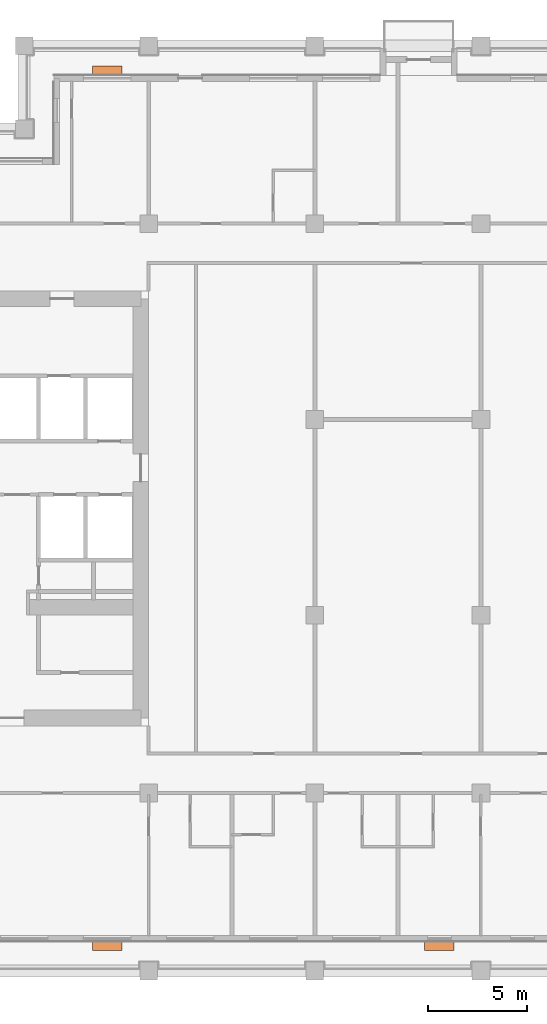
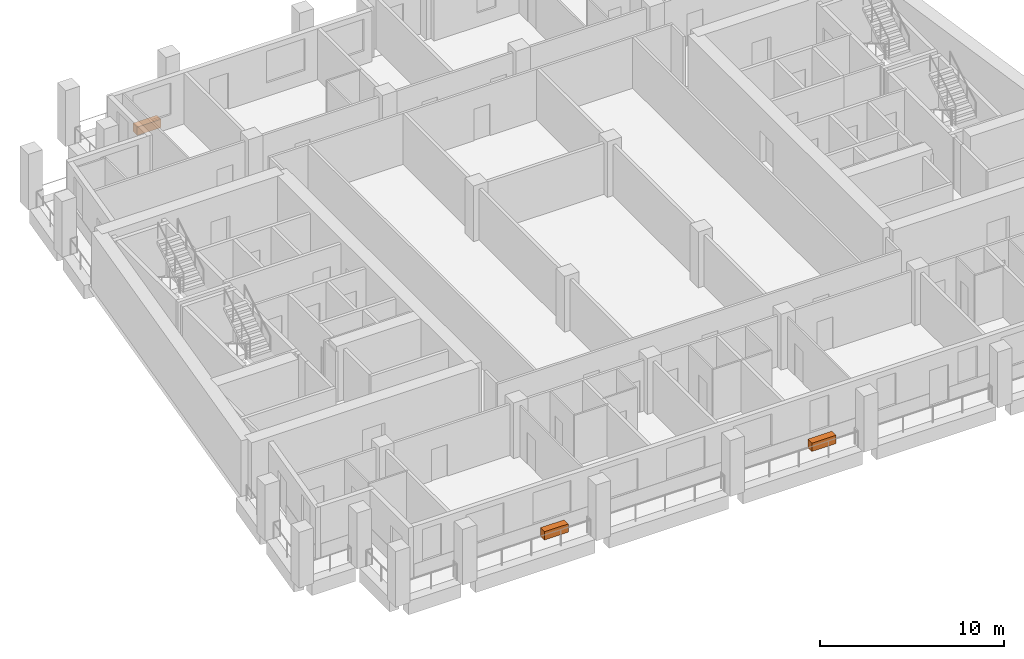
# One storey, part 12 of 12: 3 proxies.
"""IFC4 building model written with IfcOpenShell, lengths in metres."""

from ifc_helpers import new_model, si_unit, direction, frame, origin, origin_2d, place, context, subcontext, project, spatial, rectangle, extrude, element, save


model = new_model("IFC4")

# Units and contexts
model_context = context("Model", 3, precision=1e-05, world=origin(), true_north=direction((0.0, 1.0)))
body_context = subcontext(model_context, "Body", "Model", "MODEL_VIEW")
ifc_project = project(units=[si_unit("LENGTHUNIT", "METRE"), si_unit("AREAUNIT", "SQUARE_METRE"), si_unit("VOLUMEUNIT", "CUBIC_METRE"), si_unit("PLANEANGLEUNIT", "RADIAN"), si_unit("MASSUNIT", "GRAM", prefix="KILO")], contexts=[model_context])

# Site, building, storey
site_placement = place(None, origin())
site = spatial("IfcSite", under=ifc_project, at=site_placement, CompositionType="ELEMENT")
building_placement = place(site_placement, origin())
building = spatial("IfcBuilding", under=site, at=building_placement, Name="Candeia Pilgrim Tower and Theatre", CompositionType="ELEMENT")
storey_placement = place(building_placement, frame((0.0, 0.0, 235.5)))
storey = spatial("IfcBuildingStorey", under=building, at=storey_placement, Name="L57", CompositionType="ELEMENT", Elevation=235.5)

# Proxies
for number, where, z_axis, x_axis, name in (
    (1, (98.699951171875, 99.2548828125, 0.0), (0.0, 0.0, 1.0), (1.0, 0.0, 0.0), "Planter"),
    (2, (115.5, 99.2548828125, 0.0), (0.0, 0.0, 1.0), (1.0, 0.0, 0.0), "Planter"),
    (3, (98.699951171875, 143.544921875, 0.0), (0.0, 0.0, 1.0), (-1.0, 0.0, 0.0), "Planter"),
):
    element("IfcBuildingElementProxy", number, at=place(storey_placement, frame(where, z_axis=z_axis, x_axis=x_axis)), inside=storey, Name=name, ObjectType="PLANTER", PredefinedType="USERDEFINED", context=body_context, shape_type="SweptSolid", body=[
        extrude(rectangle(XDim=1.5, YDim=0.449951171875, at=origin_2d()), origin(), (0.0, 0.0, 1.0), 0.550048828125),
    ])

save(model, "model.ifc")
